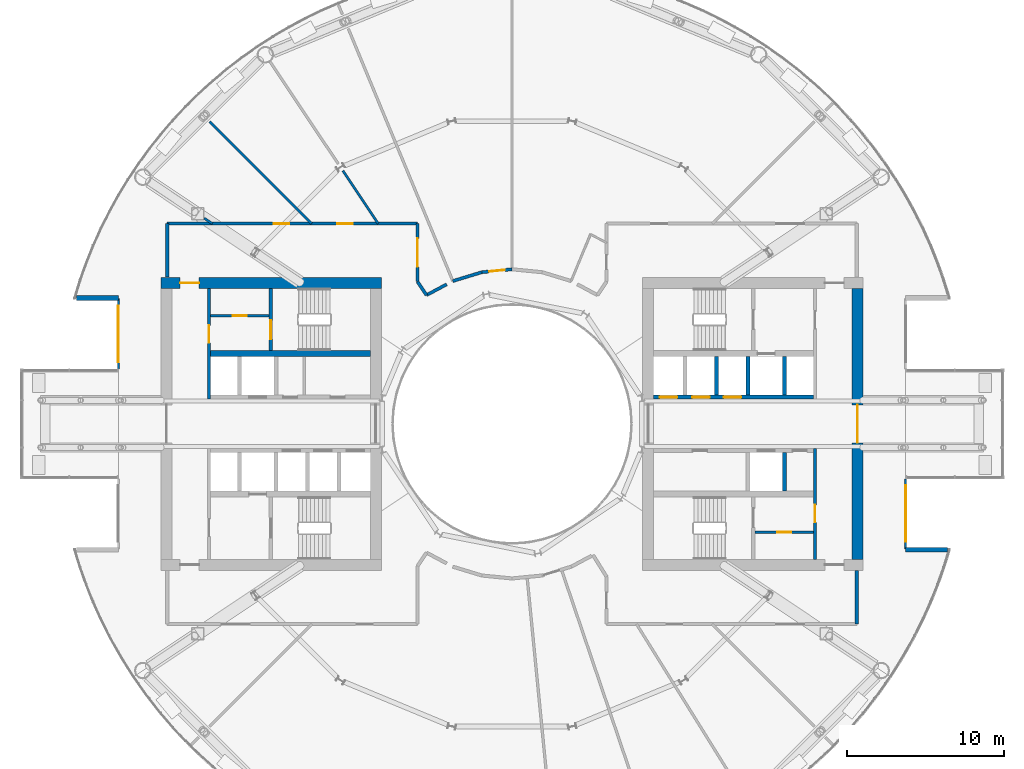
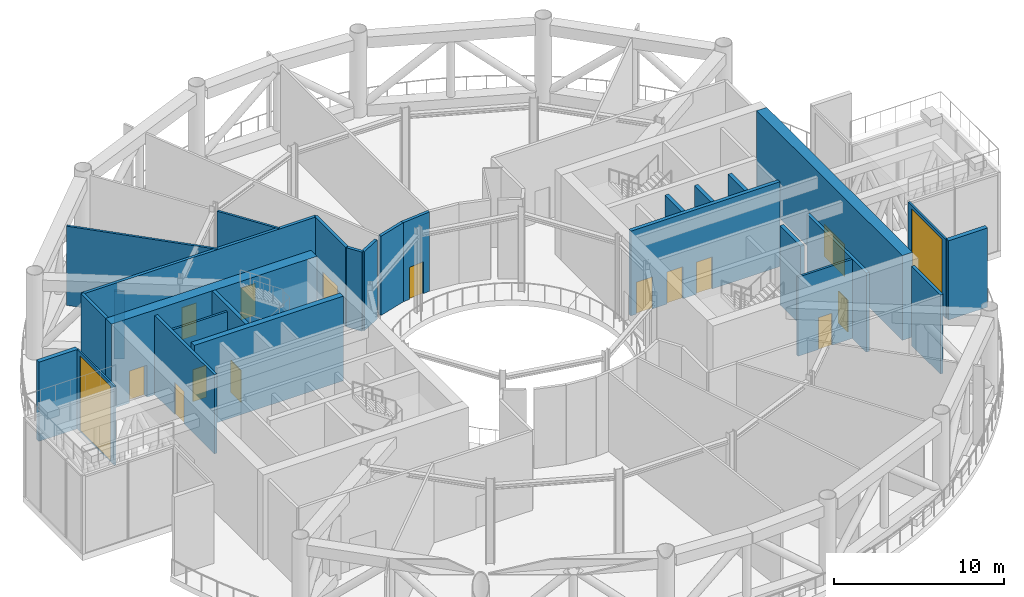
# One storey, part 13 of 23: 28 walls, 14 doors, 2 windows, 16 openings.
"""IFC4 building model written with IfcOpenShell, lengths in metres."""

from ifc_helpers import new_model, si_unit, direction, frame, frame_2d, origin, place, context, subcontext, project, spatial, rectangle, extrude, material, layer, layer_set, type_object, element, fill, save


model = new_model("IFC4")

# Units and contexts
model_context = context("Model", 3, precision=1e-05, world=origin(), true_north=direction((0.0, 1.0)))
body_context = subcontext(model_context, "Body", "Model", "MODEL_VIEW")
ifc_project = project(units=[si_unit("LENGTHUNIT", "METRE"), si_unit("AREAUNIT", "SQUARE_METRE"), si_unit("VOLUMEUNIT", "CUBIC_METRE"), si_unit("PLANEANGLEUNIT", "RADIAN"), si_unit("MASSUNIT", "GRAM", prefix="KILO")], contexts=[model_context])

# Site, building, storey
site_placement = place(None, origin())
site = spatial("IfcSite", under=ifc_project, at=site_placement, CompositionType="ELEMENT")
building_placement = place(site_placement, origin())
building = spatial("IfcBuilding", under=site, at=building_placement, Name="Maasbend Ring Residences", CompositionType="ELEMENT")
storey_placement = place(building_placement, frame((0.0, 0.0, 97.14990234375)))
storey = spatial("IfcBuildingStorey", under=building, at=storey_placement, Name="L28", CompositionType="ELEMENT", Elevation=97.14990234375)

# Wall, openings, doors
ifc_material_1 = material(Name="Concrete C70/85", Category="concrete")
ifc_layer_1 = layer(ifc_material_1, 0.25)
ifc_layer_set_1 = layer_set([ifc_layer_1], Name="Concrete C70/85")
wall_type_1 = type_object("IfcWallType", Name="CORE WALL 250 C70/85", PredefinedType="SHEAR", material=ifc_layer_set_1)
wall_1_placement = place(storey_placement, frame((9.0, 1.699951171875, 0.0), z_axis=(0.0, 0.0, 1.0), x_axis=(1.0, 0.0, 0.0)))
wall_1 = element("IfcWall", 1, at=wall_1_placement, inside=storey, type_object=wall_type_1, Name="L28 core E wall SPN", PredefinedType="SHEAR", context=body_context, shape_type="SweptSolid", body=[
    extrude(rectangle(XDim=10.14990234375, YDim=0.25, at=frame_2d((5.074951171875, 0.0))), origin(), (0.0, 0.0, 1.0), 6.10009765625),
])
opening_1_placement = place(wall_1_placement, frame((0.387451171875, 0.0, 0.0)))
opening_1 = element("IfcOpeningElement", 2, at=opening_1_placement, cuts=wall_1, Name="Opening LD-E2801", PredefinedType="OPENING", context=body_context, shape_type="SweptSolid", body=[
    extrude(rectangle(XDim=1.10009765625, YDim=2.300048828125, at=frame_2d((0.550048828125, 1.14990234375))), frame((0.0, 0.135009765625, 0.0), z_axis=(0.0, -1.0, 0.0), x_axis=(1.0, 0.0, 0.0)), (0.0, 0.0, 1.0), 0.27001953125),
])
opening_2_placement = place(wall_1_placement, frame((2.449951171875, 0.0, 0.0)))
opening_2 = element("IfcOpeningElement", 3, at=opening_2_placement, cuts=wall_1, Name="Opening LD-E2802", PredefinedType="OPENING", context=body_context, shape_type="SweptSolid", body=[
    extrude(rectangle(XDim=1.10009765625, YDim=2.300048828125, at=frame_2d((0.550048828125, 1.14990234375))), frame((0.0, 0.135009765625, 0.0), z_axis=(0.0, -1.0, 0.0), x_axis=(1.0, 0.0, 0.0)), (0.0, 0.0, 1.0), 0.27001953125),
])
opening_3_placement = place(wall_1_placement, frame((4.449951171875, 0.0, 0.0)))
opening_3 = element("IfcOpeningElement", 4, at=opening_3_placement, cuts=wall_1, Name="Opening LD-E2803", PredefinedType="OPENING", context=body_context, shape_type="SweptSolid", body=[
    extrude(rectangle(XDim=1.10009765625, YDim=2.300048828125, at=frame_2d((0.550048828125, 1.14990234375))), frame((0.0, 0.135009765625, 0.0), z_axis=(0.0, -1.0, 0.0), x_axis=(1.0, 0.0, 0.0)), (0.0, 0.0, 1.0), 0.27001953125),
])
ifc_material_2 = material(Name="Stainless steel 316", Category="steel")
door_type_1 = type_object("IfcDoorType", Name="LANDING DOOR 1100 X 2300 FD60", OperationType="DOUBLE_DOOR_SLIDING", PredefinedType="DOOR", material=ifc_material_2)
door_1_placement = place(opening_1_placement, origin())
door_1 = element("IfcDoor", 5, at=door_1_placement, inside=storey, type_object=door_type_1, Name="Landing door LR-E1 L28", OperationType="DOUBLE_DOOR_SLIDING", OverallHeight=2.300048828125, OverallWidth=1.10009765625, PredefinedType="DOOR", context=body_context, shape_type="SweptSolid", body=[
    extrude(rectangle(XDim=1.10009765625, YDim=2.300048828125, at=frame_2d((0.550048828125, 1.14990234375))), frame((0.0, 0.02490234375, 0.0), z_axis=(0.0, -1.0, 0.0), x_axis=(1.0, 0.0, 0.0)), (0.0, 0.0, 1.0), 0.050048828125),
])
fill(opening_1, door_1)
door_2_placement = place(opening_2_placement, origin())
door_2 = element("IfcDoor", 6, at=door_2_placement, inside=storey, type_object=door_type_1, Name="Landing door LR-E2 L28", OperationType="DOUBLE_DOOR_SLIDING", OverallHeight=2.300048828125, OverallWidth=1.10009765625, PredefinedType="DOOR", context=body_context, shape_type="SweptSolid", body=[
    extrude(rectangle(XDim=1.10009765625, YDim=2.300048828125, at=frame_2d((0.550048828125, 1.14990234375))), frame((0.0, 0.02490234375, 0.0), z_axis=(0.0, -1.0, 0.0), x_axis=(1.0, 0.0, 0.0)), (0.0, 0.0, 1.0), 0.050048828125),
])
fill(opening_2, door_2)
door_3_placement = place(opening_3_placement, origin())
door_3 = element("IfcDoor", 7, at=door_3_placement, inside=storey, type_object=door_type_1, Name="Landing door LR-E3 L28", OperationType="DOUBLE_DOOR_SLIDING", OverallHeight=2.300048828125, OverallWidth=1.10009765625, PredefinedType="DOOR", context=body_context, shape_type="SweptSolid", body=[
    extrude(rectangle(XDim=1.10009765625, YDim=2.300048828125, at=frame_2d((0.550048828125, 1.14990234375))), frame((0.0, 0.02490234375, 0.0), z_axis=(0.0, -1.0, 0.0), x_axis=(1.0, 0.0, 0.0)), (0.0, 0.0, 1.0), 0.050048828125),
])
fill(opening_3, door_3)

# Wall, opening, door
wall_2_placement = place(storey_placement, frame((-15.324951171875, 8.60009765625, 0.0), z_axis=(0.0, 0.0, 1.0), x_axis=(0.0, -1.0, 0.0)))
wall_2 = element("IfcWall", 8, at=wall_2_placement, inside=storey, type_object=wall_type_1, Name="L28 core W wall STES", PredefinedType="SHEAR", context=body_context, shape_type="SweptSolid", body=[
    extrude(rectangle(XDim=3.9501953125, YDim=0.25, at=frame_2d((1.97509765625, 0.0))), origin(), (0.0, 0.0, 1.0), 6.10009765625),
])
opening_4_placement = place(wall_2_placement, frame((2.02490234375, 0.0, 0.0)))
opening_4 = element("IfcOpeningElement", 9, at=opening_4_placement, cuts=wall_2, Name="Opening D-W2810", PredefinedType="OPENING", context=body_context, shape_type="SweptSolid", body=[
    extrude(rectangle(XDim=1.199951171875, YDim=2.300048828125, at=frame_2d((0.60009765625, 1.14990234375))), frame((0.0, 0.135009765625, 0.0), z_axis=(0.0, -1.0, 0.0), x_axis=(1.0, 0.0, 0.0)), (0.0, 0.0, 1.0), 0.27001953125),
])
ifc_material_3 = material(Name="Steel, powder coated", Category="steel")
door_type_2 = type_object("IfcDoorType", Name="STAIR DOOR 1200 X 2300 FD60", OperationType="NOTDEFINED", PredefinedType="DOOR", material=ifc_material_3)
door_4_placement = place(opening_4_placement, origin())
door_4 = element("IfcDoor", 10, at=door_4_placement, inside=storey, type_object=door_type_2, Name="Stair door ST-W L28", OperationType="SINGLE_SWING_LEFT", OverallHeight=2.300048828125, OverallWidth=1.199951171875, PredefinedType="DOOR", context=body_context, shape_type="SweptSolid", body=[
    extrude(rectangle(XDim=1.199951171875, YDim=2.300048828125, at=frame_2d((0.60009765625, 1.14990234375))), frame((0.0, 0.02490234375, 0.0), z_axis=(0.0, -1.0, 0.0), x_axis=(1.0, 0.0, 0.0)), (0.0, 0.0, 1.0), 0.050048828125),
])
fill(opening_4, door_4)

# Wall
ifc_material_4 = material(Name="Concrete C70/85", Category="concrete")
ifc_layer_2 = layer(ifc_material_4, 0.375)
ifc_layer_set_2 = layer_set([ifc_layer_2], Name="Concrete C70/85")
wall_type_2 = type_object("IfcWallType", Name="CORE WALL 375 C70/85", PredefinedType="SHEAR", material=ifc_layer_set_2)
wall_3_placement = place(storey_placement, frame((-9.0, 4.46240234375, 0.0), z_axis=(0.0, 0.0, 1.0), x_axis=(-1.0, 0.0, 0.0)))
element("IfcWall", 11, at=wall_3_placement, inside=storey, type_object=wall_type_2, Name="L28 core W wall BS", PredefinedType="SHEAR", context=body_context, shape_type="SweptSolid", body=[
    extrude(rectangle(XDim=10.14990234375, YDim=0.375, at=frame_2d((5.074951171875, 0.0))), origin(), (0.0, 0.0, 1.0), 6.10009765625),
])

# Wall, opening, door
ifc_material_5 = material(Name="Concrete C70/85", Category="concrete")
ifc_layer_3 = layer(ifc_material_5, 0.699951171875)
ifc_layer_set_3 = layer_set([ifc_layer_3], Name="Concrete C70/85")
wall_type_3 = type_object("IfcWallType", Name="CORE WALL 700 C70/85", PredefinedType="SHEAR", material=ifc_layer_set_3)
wall_4_placement = place(storey_placement, frame((21.949951171875, 8.60009765625, 0.0), z_axis=(0.0, 0.0, 1.0), x_axis=(0.0, -1.0, 0.0)))
wall_4 = element("IfcWall", 12, at=wall_4_placement, inside=storey, type_object=wall_type_3, Name="L28 core E wall POUT", PredefinedType="SHEAR", context=body_context, shape_type="SweptSolid", body=[
    extrude(rectangle(XDim=17.2001953125, YDim=0.699951171875, at=frame_2d((8.60009765625, 0.0))), origin(), (0.0, 0.0, 1.0), 6.10009765625),
])
opening_5_placement = place(wall_4_placement, frame((7.39990234375, 0.0, 0.0)))
opening_5 = element("IfcOpeningElement", 13, at=opening_5_placement, cuts=wall_4, Name="Opening D-E2815", PredefinedType="OPENING", context=body_context, shape_type="SweptSolid", body=[
    extrude(rectangle(XDim=2.39990234375, YDim=2.300048828125, at=frame_2d((1.199951171875, 1.14990234375))), frame((0.0, 0.35986328125, 0.0), z_axis=(0.0, -1.0, 0.0), x_axis=(1.0, 0.0, 0.0)), (0.0, 0.0, 1.0), 0.719970703125),
])
ifc_material_6 = material(Name="Aluminium frame, clear glass", Category="aluminium")
door_type_3 = type_object("IfcDoorType", Name="ENTRANCE DOOR 2400 X 2300 FD60", OperationType="NOTDEFINED", PredefinedType="DOOR", material=ifc_material_6)
door_5_placement = place(opening_5_placement, origin())
door_5 = element("IfcDoor", 14, at=door_5_placement, inside=storey, type_object=door_type_3, Name="Lobby glazed door L28", OperationType="SINGLE_SWING_LEFT", OverallHeight=2.300048828125, OverallWidth=2.39990234375, PredefinedType="DOOR", context=body_context, shape_type="SweptSolid", body=[
    extrude(rectangle(XDim=2.39990234375, YDim=2.300048828125, at=frame_2d((1.199951171875, 1.14990234375))), frame((0.0, 0.02490234375, 0.0), z_axis=(0.0, -1.0, 0.0), x_axis=(1.0, 0.0, 0.0)), (0.0, 0.0, 1.0), 0.050048828125),
])
fill(opening_5, door_5)

wall_5_placement = place(storey_placement, frame((-8.300048828125, 8.949951171875, 0.0), z_axis=(0.0, 0.0, 1.0), x_axis=(-1.0, 0.0, 0.0)))
wall_5 = element("IfcWall", 15, at=wall_5_placement, inside=storey, type_object=wall_type_3, Name="L28 core W wall PS", PredefinedType="SHEAR", context=body_context, shape_type="SweptSolid", body=[
    extrude(rectangle(XDim=14.0, YDim=0.699951171875, at=frame_2d((7.0, 0.0))), origin(), (0.0, 0.0, 1.0), 6.10009765625),
])
opening_6_placement = place(wall_5_placement, frame((11.574951171875, 0.0, 0.0)))
opening_6 = element("IfcOpeningElement", 16, at=opening_6_placement, cuts=wall_5, Name="Opening D-W2814", PredefinedType="OPENING", context=body_context, shape_type="SweptSolid", body=[
    extrude(rectangle(XDim=1.199951171875, YDim=2.300048828125, at=frame_2d((0.60009765625, 1.14990234375))), frame((0.0, 0.35986328125, 0.0), z_axis=(0.0, -1.0, 0.0), x_axis=(1.0, 0.0, 0.0)), (0.0, 0.0, 1.0), 0.719970703125),
])
ifc_material_7 = material(Name="Steel, powder coated", Category="steel")
door_type_4 = type_object("IfcDoorType", Name="CORRIDOR DOOR 1200 X 2300 FD30S", OperationType="NOTDEFINED", PredefinedType="DOOR", material=ifc_material_7)
door_6_placement = place(opening_6_placement, origin())
door_6 = element("IfcDoor", 17, at=door_6_placement, inside=storey, type_object=door_type_4, Name="Corridor door L28", OperationType="SINGLE_SWING_LEFT", OverallHeight=2.300048828125, OverallWidth=1.199951171875, PredefinedType="DOOR", context=body_context, shape_type="SweptSolid", body=[
    extrude(rectangle(XDim=1.199951171875, YDim=2.300048828125, at=frame_2d((0.60009765625, 1.14990234375))), frame((0.0, 0.02490234375, 0.0), z_axis=(0.0, -1.0, 0.0), x_axis=(1.0, 0.0, 0.0)), (0.0, 0.0, 1.0), 0.050048828125),
])
fill(opening_6, door_6)

# Walls
ifc_material_8 = material(Name="Concrete C30/37", Category="concrete")
ifc_layer_4 = layer(ifc_material_8, 0.199951171875)
ifc_layer_set_4 = layer_set([ifc_layer_4], Name="Concrete C30/37")
wall_type_4 = type_object("IfcWallType", Name="CORRIDOR WALL 200 CONCRETE", PredefinedType="PARTITIONING", material=ifc_layer_set_4)
wall_6_placement = place(storey_placement, frame((21.89990234375, -12.719970703125, 0.0), z_axis=(0.0, 0.0, 1.0), x_axis=(0.0, 1.0, 0.0)))
element("IfcWall", 18, at=wall_6_placement, inside=storey, type_object=wall_type_4, Name="U-L28-w001", PredefinedType="PARTITIONING", context=body_context, shape_type="SweptSolid", body=[
    extrude(rectangle(XDim=3.39990234375, YDim=0.199951171875, at=frame_2d((1.699951171875, 0.0))), origin(), (0.0, 0.0, 1.0), 5.7001953125),
])
wall_7_placement = place(storey_placement, frame((-6.0, 9.033935546875, 0.0), z_axis=(0.0, 0.0, 1.0), x_axis=(0.555412364489, -0.831575075007, 0.0)))
element("IfcWall", 19, at=wall_7_placement, inside=storey, type_object=wall_type_4, Name="U-L28-w033", PredefinedType="PARTITIONING", context=body_context, shape_type="SweptSolid", body=[
    extrude(rectangle(XDim=1.028076171875, YDim=0.199951171875, at=frame_2d((0.51416015625, 0.0))), origin(), (0.0, 0.0, 1.0), 5.7001953125),
])

# Wall, opening, door
wall_8_placement = place(storey_placement, frame((-6.0, 9.033935546875, 0.0), z_axis=(0.0, 0.0, 1.0), x_axis=(0.0, 1.0, 0.0)))
wall_8 = element("IfcWall", 20, at=wall_8_placement, inside=storey, type_object=wall_type_4, Name="U-L28-w036", PredefinedType="PARTITIONING", context=body_context, shape_type="SweptSolid", body=[
    extrude(rectangle(XDim=3.68603515625, YDim=0.199951171875, at=frame_2d((1.843017578125, 0.0))), origin(), (0.0, 0.0, 1.0), 5.7001953125),
])
opening_7_placement = place(wall_8_placement, frame((0.943115234375, 0.0, 0.0)))
opening_7 = element("IfcOpeningElement", 21, at=opening_7_placement, cuts=wall_8, Name="Opening D-2811", PredefinedType="OPENING", context=body_context, shape_type="SweptSolid", body=[
    extrude(rectangle(XDim=1.800048828125, YDim=2.300048828125, at=frame_2d((0.89990234375, 1.14990234375))), frame((0.0, 0.10986328125, 0.0), z_axis=(0.0, -1.0, 0.0), x_axis=(1.0, 0.0, 0.0)), (0.0, 0.0, 1.0), 0.219970703125),
])
ifc_material_9 = material(Name="Timber, painted", Category="wood")
door_type_5 = type_object("IfcDoorType", Name="DOUBLE DOOR 1800 X 2300", OperationType="NOTDEFINED", PredefinedType="DOOR", material=ifc_material_9)
door_7_placement = place(opening_7_placement, origin())
door_7 = element("IfcDoor", 22, at=door_7_placement, inside=storey, type_object=door_type_5, Name="D-2811", OperationType="DOUBLE_DOOR_SINGLE_SWING", OverallHeight=2.300048828125, OverallWidth=1.800048828125, PredefinedType="DOOR", context=body_context, shape_type="SweptSolid", body=[
    extrude(rectangle(XDim=1.800048828125, YDim=2.300048828125, at=frame_2d((0.89990234375, 1.14990234375))), frame((0.0, 0.02490234375, 0.0), z_axis=(0.0, -1.0, 0.0), x_axis=(1.0, 0.0, 0.0)), (0.0, 0.0, 1.0), 0.050048828125),
])
fill(opening_7, door_7)

# Walls
wall_9_placement = place(storey_placement, frame((-5.428955078125, 8.178955078125, 0.0), z_axis=(0.0, 0.0, 1.0), x_axis=(0.88193287619, 0.471375011954, 0.0)))
element("IfcWall", 23, at=wall_9_placement, inside=storey, type_object=wall_type_4, Name="U-L28-w037", PredefinedType="PARTITIONING", context=body_context, shape_type="SweptSolid", body=[
    extrude(rectangle(XDim=1.44921875, YDim=0.199951171875, at=frame_2d((0.724609375, 0.0))), origin(), (0.0, 0.0, 1.0), 5.7001953125),
])
wall_10_placement = place(storey_placement, frame((-3.758056640625, 9.072021484375, 0.0), z_axis=(0.0, 0.0, 1.0), x_axis=(0.956896312675, 0.29042976223, 0.0)))
element("IfcWall", 24, at=wall_10_placement, inside=storey, type_object=wall_type_4, Name="U-L28-w038", PredefinedType="PARTITIONING", context=body_context, shape_type="SweptSolid", body=[
    extrude(rectangle(XDim=1.925048828125, YDim=0.199951171875, at=frame_2d((0.96240234375, 0.0))), origin(), (0.0, 0.0, 1.0), 5.7001953125),
])

# Wall, opening, door
wall_11_placement = place(storey_placement, frame((-1.916015625, 9.631103515625, 0.0), z_axis=(0.0, 0.0, 1.0), x_axis=(0.995171860647, 0.098147683504, 0.0)))
wall_11 = element("IfcWall", 25, at=wall_11_placement, inside=storey, type_object=wall_type_4, Name="U-L28-w039", PredefinedType="PARTITIONING", context=body_context, shape_type="SweptSolid", body=[
    extrude(rectangle(XDim=1.92529296875, YDim=0.199951171875, at=frame_2d((0.962646484375, 0.0))), origin(), (0.0, 0.0, 1.0), 5.7001953125),
])
opening_8_placement = place(wall_11_placement, frame((0.462890625, 0.0, 0.0)))
opening_8 = element("IfcOpeningElement", 26, at=opening_8_placement, cuts=wall_11, Name="Opening D-2803", PredefinedType="OPENING", context=body_context, shape_type="SweptSolid", body=[
    extrude(rectangle(XDim=1.0, YDim=2.300048828125, at=frame_2d((0.5, 1.14990234375))), frame((0.0, 0.10986328125, 0.0), z_axis=(0.0, -1.0, 0.0), x_axis=(1.0, 0.0, 0.0)), (0.0, 0.0, 1.0), 0.219970703125),
])
ifc_material_10 = material(Name="Timber, painted", Category="wood")
door_type_6 = type_object("IfcDoorType", Name="ROOM DOOR 1000 X 2300", OperationType="NOTDEFINED", PredefinedType="DOOR", material=ifc_material_10)
door_8_placement = place(opening_8_placement, origin())
door_8 = element("IfcDoor", 27, at=door_8_placement, inside=storey, type_object=door_type_6, Name="D-2803", OperationType="SINGLE_SWING_LEFT", OverallHeight=2.300048828125, OverallWidth=1.0, PredefinedType="DOOR", context=body_context, shape_type="SweptSolid", body=[
    extrude(rectangle(XDim=1.0, YDim=2.300048828125, at=frame_2d((0.5, 1.14990234375))), frame((0.0, 0.02490234375, 0.0), z_axis=(0.0, -1.0, 0.0), x_axis=(1.0, 0.0, 0.0)), (0.0, 0.0, 1.0), 0.050048828125),
])
fill(opening_8, door_8)

# Wall, openings, doors
wall_12_placement = place(storey_placement, frame((-21.89990234375, 12.719970703125, 0.0), z_axis=(0.0, 0.0, 1.0), x_axis=(1.0, 0.0, 0.0)))
wall_12 = element("IfcWall", 28, at=wall_12_placement, inside=storey, type_object=wall_type_4, Name="U-L28-w043", PredefinedType="PARTITIONING", context=body_context, shape_type="SweptSolid", body=[
    extrude(rectangle(XDim=15.89990234375, YDim=0.199951171875, at=frame_2d((7.949951171875, 0.0))), origin(), (0.0, 0.0, 1.0), 5.7001953125),
])
opening_9_placement = place(wall_12_placement, frame((10.7900390625, 0.0, 0.0)))
opening_9 = element("IfcOpeningElement", 29, at=opening_9_placement, cuts=wall_12, Name="Opening D-2804", PredefinedType="OPENING", context=body_context, shape_type="SweptSolid", body=[
    extrude(rectangle(XDim=1.0, YDim=2.300048828125, at=frame_2d((0.5, 1.14990234375))), frame((0.0, 0.10986328125, 0.0), z_axis=(0.0, -1.0, 0.0), x_axis=(1.0, 0.0, 0.0)), (0.0, 0.0, 1.0), 0.219970703125),
])
opening_10_placement = place(wall_12_placement, frame((6.762939453125, 0.0, 0.0)))
opening_10 = element("IfcOpeningElement", 30, at=opening_10_placement, cuts=wall_12, Name="Opening D-2805", PredefinedType="OPENING", context=body_context, shape_type="SweptSolid", body=[
    extrude(rectangle(XDim=1.0, YDim=2.300048828125, at=frame_2d((0.5, 1.14990234375))), frame((0.0, 0.10986328125, 0.0), z_axis=(0.0, -1.0, 0.0), x_axis=(1.0, 0.0, 0.0)), (0.0, 0.0, 1.0), 0.219970703125),
])
door_9_placement = place(opening_9_placement, origin())
door_9 = element("IfcDoor", 31, at=door_9_placement, inside=storey, type_object=door_type_6, Name="D-2804", OperationType="SINGLE_SWING_RIGHT", OverallHeight=2.300048828125, OverallWidth=1.0, PredefinedType="DOOR", context=body_context, shape_type="SweptSolid", body=[
    extrude(rectangle(XDim=1.0, YDim=2.300048828125, at=frame_2d((0.5, 1.14990234375))), frame((0.0, 0.02490234375, 0.0), z_axis=(0.0, -1.0, 0.0), x_axis=(1.0, 0.0, 0.0)), (0.0, 0.0, 1.0), 0.050048828125),
])
fill(opening_9, door_9)
door_10_placement = place(opening_10_placement, origin())
door_10 = element("IfcDoor", 32, at=door_10_placement, inside=storey, type_object=door_type_6, Name="D-2805", OperationType="SINGLE_SWING_LEFT", OverallHeight=2.300048828125, OverallWidth=1.0, PredefinedType="DOOR", context=body_context, shape_type="SweptSolid", body=[
    extrude(rectangle(XDim=1.0, YDim=2.300048828125, at=frame_2d((0.5, 1.14990234375))), frame((0.0, 0.02490234375, 0.0), z_axis=(0.0, -1.0, 0.0), x_axis=(1.0, 0.0, 0.0)), (0.0, 0.0, 1.0), 0.050048828125),
])
fill(opening_10, door_10)

# Walls
wall_13_placement = place(storey_placement, frame((-21.89990234375, 9.320068359375, 0.0), z_axis=(0.0, 0.0, 1.0), x_axis=(0.0, 1.0, 0.0)))
element("IfcWall", 33, at=wall_13_placement, inside=storey, type_object=wall_type_4, Name="U-L28-w047", PredefinedType="PARTITIONING", context=body_context, shape_type="SweptSolid", body=[
    extrude(rectangle(XDim=3.39990234375, YDim=0.199951171875, at=frame_2d((1.699951171875, 0.0))), origin(), (0.0, 0.0, 1.0), 5.7001953125),
])
ifc_material_11 = material(Name="Aluminium clad insulated panel", Category="aluminium")
ifc_layer_5 = layer(ifc_material_11, 0.300048828125)
ifc_layer_set_5 = layer_set([ifc_layer_5], Name="EW-RET")
wall_type_5 = type_object("IfcWallType", Name="EW-RET", PredefinedType="SOLIDWALL", material=ifc_layer_set_5)
for number, where, z_axis, x_axis, name in (
    (34, (25.0, -8.0, 0.0), (0.0, 0.0, 1.0), (1.0, 0.0, 0.0), "Notch return wall east south"),
    (35, (-25.0, 8.0, 0.0), (0.0, 0.0, 1.0), (-1.0, 0.0, 0.0), "Notch return wall west north"),
):
    element("IfcWall", number, at=place(storey_placement, frame(where, z_axis=z_axis, x_axis=x_axis)), inside=storey, type_object=wall_type_5, Name=name, PredefinedType="SOLIDWALL", context=body_context, shape_type="SweptSolid", body=[
        extrude(rectangle(XDim=2.6669921875, YDim=0.300048828125, at=frame_2d((1.33349609375, 0.0))), origin(), (0.0, 0.0, 1.0), 5.7001953125),
    ])

# Wall, opening, window
ifc_material_12 = material(Name="Aluminium frame and clear glass", Category="aluminium")
ifc_layer_6 = layer(ifc_material_12, 0.1201171875)
ifc_layer_set_6 = layer_set([ifc_layer_6], Name="GLAZED SCREEN WALL 120 EI 60")
wall_type_6 = type_object("IfcWallType", Name="GLAZED SCREEN WALL 120 EI 60", PredefinedType="PARTITIONING", material=ifc_layer_set_6)
wall_14_placement = place(storey_placement, frame((25.0, -3.5, 0.0), z_axis=(0.0, 0.0, 1.0), x_axis=(0.0, -1.0, 0.0)))
wall_14 = element("IfcWall", 36, at=wall_14_placement, inside=storey, type_object=wall_type_6, Name="L28 core E wall FACEA", PredefinedType="PARTITIONING", context=body_context, shape_type="SweptSolid", body=[
    extrude(rectangle(XDim=4.449951171875, YDim=0.1201171875, at=frame_2d((2.22509765625, 0.0))), origin(), (0.0, 0.0, 1.0), 5.7001953125),
])
opening_11_placement = place(wall_14_placement, frame((0.39990234375, 0.0, 0.10009765625)))
opening_11 = element("IfcOpeningElement", 37, at=opening_11_placement, cuts=wall_14, Name="Opening W-E2802", PredefinedType="OPENING", context=body_context, shape_type="SweptSolid", body=[
    extrude(rectangle(XDim=3.60009765625, YDim=5.35009765625, at=frame_2d((1.800048828125, 2.675048828125))), frame((0.0, 0.070068359375, 0.0), z_axis=(0.0, -1.0, 0.0), x_axis=(1.0, 0.0, 0.0)), (0.0, 0.0, 1.0), 0.14013671875),
])
ifc_material_13 = material(Name="Aluminium frame and clear glass", Category="aluminium")
window_type = type_object("IfcWindowType", Name="FIXED WINDOW 3600 X 5350", PartitioningType="SINGLE_PANEL", PredefinedType="WINDOW", material=ifc_material_13)
window_1_placement = place(opening_11_placement, origin())
window_1 = element("IfcWindow", 38, at=window_1_placement, inside=storey, type_object=window_type, Name="Lobby window L28", OverallHeight=5.35009765625, OverallWidth=3.60009765625, PartitioningType="SINGLE_PANEL", PredefinedType="WINDOW", context=body_context, shape_type="SweptSolid", body=[
    extrude(rectangle(XDim=3.60009765625, YDim=5.35009765625, at=frame_2d((1.800048828125, 2.675048828125))), frame((0.0, 0.030029296875, 0.0), z_axis=(0.0, -1.0, 0.0), x_axis=(1.0, 0.0, 0.0)), (0.0, 0.0, 1.0), 0.06005859375),
])
fill(opening_11, window_1)

wall_15_placement = place(storey_placement, frame((-25.0, 3.5, 0.0), z_axis=(0.0, 0.0, 1.0), x_axis=(0.0, 1.0, 0.0)))
wall_15 = element("IfcWall", 39, at=wall_15_placement, inside=storey, type_object=wall_type_6, Name="L28 core W wall FACEA", PredefinedType="PARTITIONING", context=body_context, shape_type="SweptSolid", body=[
    extrude(rectangle(XDim=4.449951171875, YDim=0.1201171875, at=frame_2d((2.22509765625, 0.0))), origin(), (0.0, 0.0, 1.0), 5.7001953125),
])
opening_12_placement = place(wall_15_placement, frame((0.39990234375, 0.0, 0.10009765625)))
opening_12 = element("IfcOpeningElement", 40, at=opening_12_placement, cuts=wall_15, Name="Opening W-W2802", PredefinedType="OPENING", context=body_context, shape_type="SweptSolid", body=[
    extrude(rectangle(XDim=3.60009765625, YDim=5.35009765625, at=frame_2d((1.800048828125, 2.675048828125))), frame((0.0, 0.070068359375, 0.0), z_axis=(0.0, -1.0, 0.0), x_axis=(1.0, 0.0, 0.0)), (0.0, 0.0, 1.0), 0.14013671875),
])
window_2_placement = place(opening_12_placement, origin())
window_2 = element("IfcWindow", 41, at=window_2_placement, inside=storey, type_object=window_type, Name="Lobby window L28", OverallHeight=5.35009765625, OverallWidth=3.60009765625, PartitioningType="SINGLE_PANEL", PredefinedType="WINDOW", context=body_context, shape_type="SweptSolid", body=[
    extrude(rectangle(XDim=3.60009765625, YDim=5.35009765625, at=frame_2d((1.800048828125, 2.675048828125))), frame((0.0, 0.030029296875, 0.0), z_axis=(0.0, -1.0, 0.0), x_axis=(1.0, 0.0, 0.0)), (0.0, 0.0, 1.0), 0.06005859375),
])
fill(opening_12, window_2)

# Wall, opening, door
ifc_material_14 = material(Name="Gypsum board on steel studs", Category="steel")
ifc_layer_7 = layer(ifc_material_14, 0.14990234375)
ifc_layer_set_7 = layer_set([ifc_layer_7], Name="PARTITION 150 EI 60")
wall_type_7 = type_object("IfcWallType", Name="PARTITION 150 EI 60", PredefinedType="PARTITIONING", material=ifc_layer_set_7)
wall_16_placement = place(storey_placement, frame((15.449951171875, -6.875, 0.0), z_axis=(0.0, 0.0, 1.0), x_axis=(1.0, 0.0, 0.0)))
wall_16 = element("IfcWall", 42, at=wall_16_placement, inside=storey, type_object=wall_type_7, Name="L28 core E wall RHS", PredefinedType="PARTITIONING", context=body_context, shape_type="SweptSolid", body=[
    extrude(rectangle(XDim=3.699951171875, YDim=0.14990234375, at=frame_2d((1.85009765625, 0.0))), origin(), (0.0, 0.0, 1.0), 5.7001953125),
])
opening_13_placement = place(wall_16_placement, frame((1.39990234375, 0.0, 0.0)))
opening_13 = element("IfcOpeningElement", 43, at=opening_13_placement, cuts=wall_16, Name="Opening D-E2808", PredefinedType="OPENING", context=body_context, shape_type="SweptSolid", body=[
    extrude(rectangle(XDim=0.89990234375, YDim=2.300048828125, at=frame_2d((0.449951171875, 1.14990234375))), frame((0.0, 0.0849609375, 0.0), z_axis=(0.0, -1.0, 0.0), x_axis=(1.0, 0.0, 0.0)), (0.0, 0.0, 1.0), 0.169921875),
])
ifc_material_15 = material(Name="Steel, powder coated", Category="steel")
door_type_7 = type_object("IfcDoorType", Name="RISER DOOR 900 X 2300 FD60", OperationType="NOTDEFINED", PredefinedType="DOOR", material=ifc_material_15)
door_11_placement = place(opening_13_placement, origin())
door_11 = element("IfcDoor", 44, at=door_11_placement, inside=storey, type_object=door_type_7, Name="Riser door L28", OperationType="SINGLE_SWING_LEFT", OverallHeight=2.300048828125, OverallWidth=0.89990234375, PredefinedType="DOOR", context=body_context, shape_type="SweptSolid", body=[
    extrude(rectangle(XDim=0.89990234375, YDim=2.300048828125, at=frame_2d((0.449951171875, 1.14990234375))), frame((0.0, 0.02490234375, 0.0), z_axis=(0.0, -1.0, 0.0), x_axis=(1.0, 0.0, 0.0)), (0.0, 0.0, 1.0), 0.050048828125),
])
fill(opening_13, door_11)

wall_17_placement = place(storey_placement, frame((-15.449951171875, 6.875, 0.0), z_axis=(0.0, 0.0, 1.0), x_axis=(-1.0, 0.0, 0.0)))
wall_17 = element("IfcWall", 45, at=wall_17_placement, inside=storey, type_object=wall_type_7, Name="L28 core W wall RHS", PredefinedType="PARTITIONING", context=body_context, shape_type="SweptSolid", body=[
    extrude(rectangle(XDim=3.699951171875, YDim=0.14990234375, at=frame_2d((1.85009765625, 0.0))), origin(), (0.0, 0.0, 1.0), 5.7001953125),
])
opening_14_placement = place(wall_17_placement, frame((1.39990234375, 0.0, 0.0)))
opening_14 = element("IfcOpeningElement", 46, at=opening_14_placement, cuts=wall_17, Name="Opening D-W2808", PredefinedType="OPENING", context=body_context, shape_type="SweptSolid", body=[
    extrude(rectangle(XDim=0.89990234375, YDim=2.300048828125, at=frame_2d((0.449951171875, 1.14990234375))), frame((0.0, 0.0849609375, 0.0), z_axis=(0.0, -1.0, 0.0), x_axis=(1.0, 0.0, 0.0)), (0.0, 0.0, 1.0), 0.169921875),
])
door_12_placement = place(opening_14_placement, origin())
door_12 = element("IfcDoor", 47, at=door_12_placement, inside=storey, type_object=door_type_7, Name="Riser door L28", OperationType="SINGLE_SWING_LEFT", OverallHeight=2.300048828125, OverallWidth=0.89990234375, PredefinedType="DOOR", context=body_context, shape_type="SweptSolid", body=[
    extrude(rectangle(XDim=0.89990234375, YDim=2.300048828125, at=frame_2d((0.449951171875, 1.14990234375))), frame((0.0, 0.02490234375, 0.0), z_axis=(0.0, -1.0, 0.0), x_axis=(1.0, 0.0, 0.0)), (0.0, 0.0, 1.0), 0.050048828125),
])
fill(opening_14, door_12)

# Walls
ifc_material_16 = material(Name="Gypsum board on steel studs", Category="steel")
ifc_layer_8 = layer(ifc_material_16, 0.14990234375)
ifc_layer_set_8 = layer_set([ifc_layer_8], Name="PARTITION 150 GYPSUM")
wall_type_8 = type_object("IfcWallType", Name="PARTITION 150 GYPSUM", PredefinedType="PARTITIONING", material=ifc_layer_set_8)
wall_18_placement = place(storey_placement, frame((-19.547119140625, 13.06103515625, 0.0), z_axis=(0.0, 0.0, 1.0), x_axis=(0.83125359921, -0.555893383483, 0.0)))
element("IfcWall", 48, at=wall_18_placement, inside=storey, type_object=wall_type_8, Name="U-L28-w015", PredefinedType="PARTITIONING", context=body_context, shape_type="SweptSolid", body=[
    extrude(rectangle(XDim=0.613525390625, YDim=0.14990234375, at=frame_2d((0.306640625, 0.0))), origin(), (0.0, 0.0, 1.0), 4.880126953125),
])
wall_19_placement = place(storey_placement, frame((-19.2041015625, 19.2041015625, 0.0), z_axis=(0.0, 0.0, 1.0), x_axis=(0.707106781187, -0.707106781187, 0.0)))
element("IfcWall", 49, at=wall_19_placement, inside=storey, type_object=wall_type_8, Name="U-L28-w018", PredefinedType="PARTITIONING", context=body_context, shape_type="SweptSolid", body=[
    extrude(rectangle(XDim=9.169921875, YDim=0.14990234375, at=frame_2d((4.5849609375, 0.0))), origin(), (0.0, 0.0, 1.0), 5.7001953125),
])
wall_20_placement = place(storey_placement, frame((-10.742919921875, 16.0791015625, 0.0), z_axis=(0.0, 0.0, 1.0), x_axis=(0.555467032474, -0.831538559439, 0.0)))
element("IfcWall", 50, at=wall_20_placement, inside=storey, type_object=wall_type_8, Name="U-L28-w021", PredefinedType="PARTITIONING", context=body_context, shape_type="SweptSolid", body=[
    extrude(rectangle(XDim=4.03955078125, YDim=0.14990234375, at=frame_2d((2.019775390625, 0.0))), origin(), (0.0, 0.0, 1.0), 5.7001953125),
])

# Wall, opening, door
ifc_material_17 = material(Name="Concrete C30/37", Category="concrete")
ifc_layer_9 = layer(ifc_material_17, 0.199951171875)
ifc_layer_set_9 = layer_set([ifc_layer_9], Name="Concrete C30/37")
wall_type_9 = type_object("IfcWallType", Name="SHAFT WALL 200 EI 120", PredefinedType="SOLIDWALL", material=ifc_layer_set_9)
wall_21_placement = place(storey_placement, frame((19.25, -8.60009765625, 0.0), z_axis=(0.0, 0.0, 1.0), x_axis=(0.0, 1.0, 0.0)))
wall_21 = element("IfcWall", 51, at=wall_21_placement, inside=storey, type_object=wall_type_9, Name="L28 core E wall ENDS", PredefinedType="SOLIDWALL", context=body_context, shape_type="SweptSolid", body=[
    extrude(rectangle(XDim=7.025146484375, YDim=0.199951171875, at=frame_2d((3.5126953125, 0.0))), origin(), (0.0, 0.0, 1.0), 5.7001953125),
])
opening_15_placement = place(wall_21_placement, frame((2.35009765625, 0.0, 0.0)))
opening_15 = element("IfcOpeningElement", 52, at=opening_15_placement, cuts=wall_21, Name="Opening D-E2812", PredefinedType="OPENING", context=body_context, shape_type="SweptSolid", body=[
    extrude(rectangle(XDim=1.10009765625, YDim=2.300048828125, at=frame_2d((0.550048828125, 1.14990234375))), frame((0.0, 0.10986328125, 0.0), z_axis=(0.0, -1.0, 0.0), x_axis=(1.0, 0.0, 0.0)), (0.0, 0.0, 1.0), 0.219970703125),
])
ifc_material_18 = material(Name="Steel, powder coated", Category="steel")
door_type_8 = type_object("IfcDoorType", Name="LOBBY DOOR 1100 X 2300 FD60", OperationType="NOTDEFINED", PredefinedType="DOOR", material=ifc_material_18)
door_13_placement = place(opening_15_placement, origin())
door_13 = element("IfcDoor", 53, at=door_13_placement, inside=storey, type_object=door_type_8, Name="Lobby door L28", OperationType="SINGLE_SWING_RIGHT", OverallHeight=2.300048828125, OverallWidth=1.10009765625, PredefinedType="DOOR", context=body_context, shape_type="SweptSolid", body=[
    extrude(rectangle(XDim=1.10009765625, YDim=2.300048828125, at=frame_2d((0.550048828125, 1.14990234375))), frame((0.0, 0.02490234375, 0.0), z_axis=(0.0, -1.0, 0.0), x_axis=(1.0, 0.0, 0.0)), (0.0, 0.0, 1.0), 0.050048828125),
])
fill(opening_15, door_13)

wall_22_placement = place(storey_placement, frame((-19.25, 8.60009765625, 0.0), z_axis=(0.0, 0.0, 1.0), x_axis=(0.0, -1.0, 0.0)))
wall_22 = element("IfcWall", 54, at=wall_22_placement, inside=storey, type_object=wall_type_9, Name="L28 core W wall ENDS", PredefinedType="SOLIDWALL", context=body_context, shape_type="SweptSolid", body=[
    extrude(rectangle(XDim=7.025146484375, YDim=0.199951171875, at=frame_2d((3.5126953125, 0.0))), origin(), (0.0, 0.0, 1.0), 5.7001953125),
])
opening_16_placement = place(wall_22_placement, frame((2.35009765625, 0.0, 0.0)))
opening_16 = element("IfcOpeningElement", 55, at=opening_16_placement, cuts=wall_22, Name="Opening D-W2812", PredefinedType="OPENING", context=body_context, shape_type="SweptSolid", body=[
    extrude(rectangle(XDim=1.10009765625, YDim=2.300048828125, at=frame_2d((0.550048828125, 1.14990234375))), frame((0.0, 0.10986328125, 0.0), z_axis=(0.0, -1.0, 0.0), x_axis=(1.0, 0.0, 0.0)), (0.0, 0.0, 1.0), 0.219970703125),
])
door_14_placement = place(opening_16_placement, origin())
door_14 = element("IfcDoor", 56, at=door_14_placement, inside=storey, type_object=door_type_8, Name="Lobby door L28", OperationType="SINGLE_SWING_RIGHT", OverallHeight=2.300048828125, OverallWidth=1.10009765625, PredefinedType="DOOR", context=body_context, shape_type="SweptSolid", body=[
    extrude(rectangle(XDim=1.10009765625, YDim=2.300048828125, at=frame_2d((0.550048828125, 1.14990234375))), frame((0.0, 0.02490234375, 0.0), z_axis=(0.0, -1.0, 0.0), x_axis=(1.0, 0.0, 0.0)), (0.0, 0.0, 1.0), 0.050048828125),
])
fill(opening_16, door_14)

# Walls
ifc_material_19 = material(Name="Concrete C30/37", Category="concrete")
ifc_layer_10 = layer(ifc_material_19, 0.25)
ifc_layer_set_10 = layer_set([ifc_layer_10], Name="Concrete C30/37")
wall_type_10 = type_object("IfcWallType", Name="SHAFT WALL 250 EI 120", PredefinedType="SOLIDWALL", material=ifc_layer_set_10)
for number, where, z_axis, x_axis, name in (
    (57, (15.0, 1.824951171875, 0.0), (0.0, 0.0, 1.0), (0.0, 1.0, 0.0), "L28 core E wall D150N"),
    (58, (17.300048828125, 1.824951171875, 0.0), (0.0, 0.0, 1.0), (0.0, 1.0, 0.0), "L28 core E wall D173N"),
    (59, (17.300048828125, -1.824951171875, 0.0), (0.0, 0.0, 1.0), (0.0, -1.0, 0.0), "L28 core E wall D173S"),
    (60, (13.0, 1.824951171875, 0.0), (0.0, 0.0, 1.0), (0.0, 1.0, 0.0), "L28 core E wall D130N"),
):
    element("IfcWall", number, at=place(storey_placement, frame(where, z_axis=z_axis, x_axis=x_axis)), inside=storey, type_object=wall_type_10, Name=name, PredefinedType="SOLIDWALL", context=body_context, shape_type="SweptSolid", body=[
        extrude(rectangle(XDim=2.449951171875, YDim=0.25, at=frame_2d((1.22509765625, 0.0))), origin(), (0.0, 0.0, 1.0), 5.7001953125),
    ])

save(model, "model.ifc")
